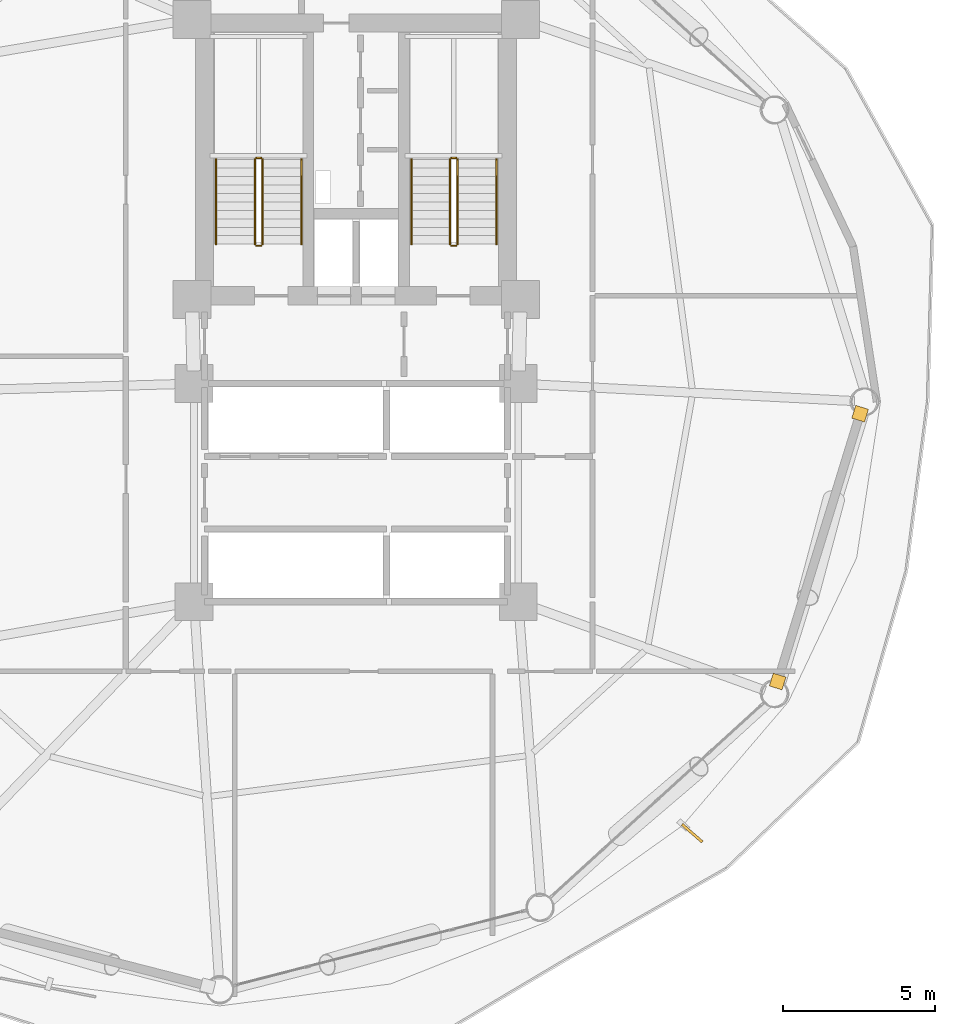
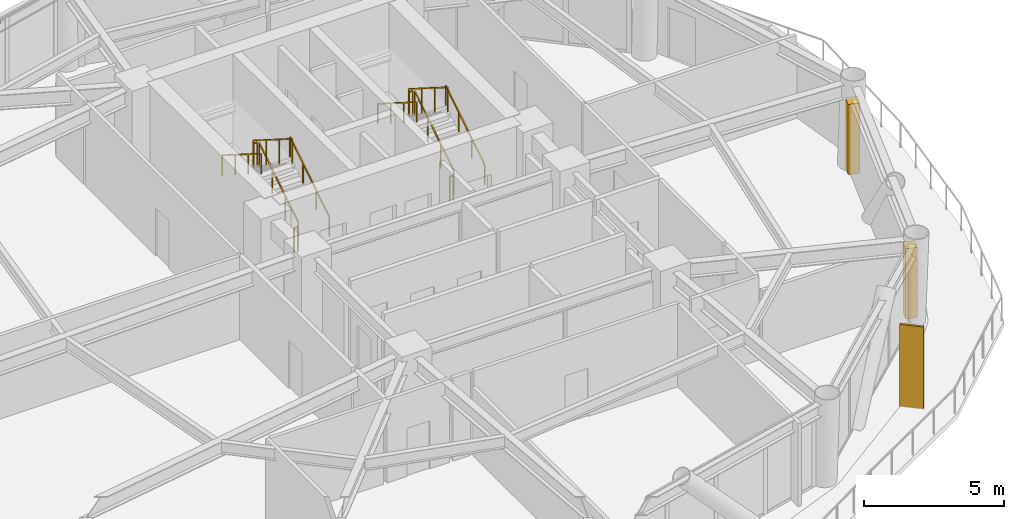
# One storey, part 24 of 25: 12 railings, 2 coverings, 1 shading device.
"""IFC4 building model written with IfcOpenShell, lengths in metres."""

from ifc_helpers import new_model, si_unit, direction, frame, origin, origin_2d, place, context, subcontext, project, spatial, rectangle, extrude, source, transform, mapped, material, layer, layer_set, type_object, type_shapes, element, save


model = new_model("IFC4")

# Units and contexts
model_context = context("Model", 3, precision=1e-05, world=origin(), true_north=direction((0.0, 1.0)))
body_context = subcontext(model_context, "Body", "Model", "MODEL_VIEW")
ifc_project = project(units=[si_unit("LENGTHUNIT", "METRE"), si_unit("AREAUNIT", "SQUARE_METRE"), si_unit("VOLUMEUNIT", "CUBIC_METRE"), si_unit("PLANEANGLEUNIT", "RADIAN"), si_unit("MASSUNIT", "GRAM", prefix="KILO")], contexts=[model_context])

# Site, building, storey
site_placement = place(None, origin())
site = spatial("IfcSite", under=ifc_project, at=site_placement, CompositionType="ELEMENT")
building_placement = place(site_placement, origin())
building = spatial("IfcBuilding", under=site, at=building_placement, Name="Varnakorn Sky Granary", CompositionType="ELEMENT")
storey_placement = place(building_placement, frame((0.0, 0.0, 54.89990234375)))
storey = spatial("IfcBuildingStorey", under=building, at=storey_placement, Name="L13", CompositionType="ELEMENT", Elevation=54.89990234375)

# Railings
ifc_material_1 = material(Name="Brushed Stainless Steel 316", Category="steel")
railing_type_1 = type_object("IfcRailingType", Name="RL-STAIR-1100", PredefinedType="GUARDRAIL", material=ifc_material_1)
railing_1_placement = place(storey_placement, frame((-0.090087890625, 5.199951171875, 0.177490234375)))
element("IfcRailing", 1, at=railing_1_placement, inside=storey, type_object=railing_type_1, Name="L13 ST-1 stair guard 1", PredefinedType="GUARDRAIL", context=body_context, shape_type="SweptSolid", body=[
    extrude(rectangle(XDim=0.048095703125, YDim=0.048095703125, at=origin_2d()), frame((0.0, 0.0, 1.076171875), z_axis=(0.0, 0.844908973607, 0.534910110503), x_axis=(-1.0, 0.0, 0.0)), (0.0, 0.0, 1.0), 3.31396484375),
    extrude(rectangle(XDim=0.0419921875, YDim=0.0419921875, at=origin_2d()), origin(), (0.0, 0.0, 1.0), 1.048095703125),
    extrude(rectangle(XDim=0.0419921875, YDim=0.0419921875, at=origin_2d()), frame((0.0, 0.933349609375, 0.5908203125)), (0.0, 0.0, 1.0), 1.048095703125),
    extrude(rectangle(XDim=0.0419921875, YDim=0.0419921875, at=origin_2d()), frame((0.0, 1.86669921875, 1.181884765625)), (0.0, 0.0, 1.0), 1.048095703125),
    extrude(rectangle(XDim=0.0419921875, YDim=0.0419921875, at=origin_2d()), frame((0.0, 2.800048828125, 1.772705078125)), (0.0, 0.0, 1.0), 1.048095703125),
])
railing_2_placement = place(storey_placement, frame((-0.139892578125, 8.050048828125, 1.9501953125)))
element("IfcRailing", 2, at=railing_2_placement, inside=storey, type_object=railing_type_1, Name="L13 ST-1 stair guard 2", PredefinedType="GUARDRAIL", context=body_context, shape_type="SweptSolid", body=[
    extrude(rectangle(XDim=0.048095703125, YDim=0.048095703125, at=origin_2d()), frame((0.0, 0.0, 1.076171875), z_axis=(-1.0, 0.0, 0.0), x_axis=(0.0, -1.0, 0.0)), (0.0, 0.0, 1.0), 0.150146484375),
    extrude(rectangle(XDim=0.0419921875, YDim=0.0419921875, at=origin_2d()), origin(), (0.0, 0.0, 1.0), 1.048095703125),
    extrude(rectangle(XDim=0.0419921875, YDim=0.0419921875, at=origin_2d()), frame((-0.150146484375, 0.0, 0.0)), (0.0, 0.0, 1.0), 1.048095703125),
])
railing_3_placement = place(storey_placement, frame((-0.340087890625, 8.0, 2.12744140625)))
element("IfcRailing", 3, at=railing_3_placement, inside=storey, type_object=railing_type_1, Name="L13 ST-1 stair guard 3", PredefinedType="GUARDRAIL", context=body_context, shape_type="SweptSolid", body=[
    extrude(rectangle(XDim=0.048095703125, YDim=0.048095703125, at=origin_2d()), frame((0.0, 0.0, 1.076171875), z_axis=(0.0, -0.844908973607, 0.534910110503), x_axis=(1.0, 0.0, 0.0)), (0.0, 0.0, 1.0), 3.31396484375),
    extrude(rectangle(XDim=0.0419921875, YDim=0.0419921875, at=origin_2d()), origin(), (0.0, 0.0, 1.0), 1.048095703125),
    extrude(rectangle(XDim=0.0419921875, YDim=0.0419921875, at=origin_2d()), frame((0.0, -0.933349609375, 0.5908203125)), (0.0, 0.0, 1.0), 1.048095703125),
    extrude(rectangle(XDim=0.0419921875, YDim=0.0419921875, at=origin_2d()), frame((0.0, -1.86669921875, 1.181884765625)), (0.0, 0.0, 1.0), 1.048095703125),
    extrude(rectangle(XDim=0.0419921875, YDim=0.0419921875, at=origin_2d()), frame((0.0, -2.800048828125, 1.772705078125)), (0.0, 0.0, 1.0), 1.048095703125),
])
railing_4_placement = place(storey_placement, frame((-0.139892578125, 5.14990234375, 0.0)))
element("IfcRailing", 4, at=railing_4_placement, inside=storey, type_object=railing_type_1, Name="L13 ST-1 stair guard 4", PredefinedType="GUARDRAIL", context=body_context, shape_type="SweptSolid", body=[
    extrude(rectangle(XDim=0.048095703125, YDim=0.048095703125, at=origin_2d()), frame((0.0, 0.0, 1.076171875), z_axis=(-1.0, 0.0, 0.0), x_axis=(0.0, -1.0, 0.0)), (0.0, 0.0, 1.0), 0.150146484375),
    extrude(rectangle(XDim=0.0419921875, YDim=0.0419921875, at=origin_2d()), origin(), (0.0, 0.0, 1.0), 1.048095703125),
    extrude(rectangle(XDim=0.0419921875, YDim=0.0419921875, at=origin_2d()), frame((-0.150146484375, 0.0, 0.0)), (0.0, 0.0, 1.0), 1.048095703125),
])
railing_5_placement = place(storey_placement, frame((6.35009765625, 5.199951171875, 0.177490234375)))
element("IfcRailing", 5, at=railing_5_placement, inside=storey, type_object=railing_type_1, Name="L13 ST-2 stair guard 1", PredefinedType="GUARDRAIL", context=body_context, shape_type="SweptSolid", body=[
    extrude(rectangle(XDim=0.048095703125, YDim=0.048095703125, at=origin_2d()), frame((0.0, 0.0, 1.076171875), z_axis=(0.0, 0.844908973607, 0.534910110503), x_axis=(-1.0, 0.0, 0.0)), (0.0, 0.0, 1.0), 3.31396484375),
    extrude(rectangle(XDim=0.0419921875, YDim=0.0419921875, at=origin_2d()), origin(), (0.0, 0.0, 1.0), 1.048095703125),
    extrude(rectangle(XDim=0.0419921875, YDim=0.0419921875, at=origin_2d()), frame((0.0, 0.933349609375, 0.5908203125)), (0.0, 0.0, 1.0), 1.048095703125),
    extrude(rectangle(XDim=0.0419921875, YDim=0.0419921875, at=origin_2d()), frame((0.0, 1.86669921875, 1.181884765625)), (0.0, 0.0, 1.0), 1.048095703125),
    extrude(rectangle(XDim=0.0419921875, YDim=0.0419921875, at=origin_2d()), frame((0.0, 2.800048828125, 1.772705078125)), (0.0, 0.0, 1.0), 1.048095703125),
])
railing_6_placement = place(storey_placement, frame((6.300048828125, 8.050048828125, 1.9501953125)))
element("IfcRailing", 6, at=railing_6_placement, inside=storey, type_object=railing_type_1, Name="L13 ST-2 stair guard 2", PredefinedType="GUARDRAIL", context=body_context, shape_type="SweptSolid", body=[
    extrude(rectangle(XDim=0.048095703125, YDim=0.048095703125, at=origin_2d()), frame((0.0, 0.0, 1.076171875), z_axis=(-1.0, 0.0, 0.0), x_axis=(0.0, -1.0, 0.0)), (0.0, 0.0, 1.0), 0.150146484375),
    extrude(rectangle(XDim=0.0419921875, YDim=0.0419921875, at=origin_2d()), origin(), (0.0, 0.0, 1.0), 1.048095703125),
    extrude(rectangle(XDim=0.0419921875, YDim=0.0419921875, at=origin_2d()), frame((-0.150146484375, 0.0, 0.0)), (0.0, 0.0, 1.0), 1.048095703125),
])
railing_7_placement = place(storey_placement, frame((6.10009765625, 8.0, 2.12744140625)))
element("IfcRailing", 7, at=railing_7_placement, inside=storey, type_object=railing_type_1, Name="L13 ST-2 stair guard 3", PredefinedType="GUARDRAIL", context=body_context, shape_type="SweptSolid", body=[
    extrude(rectangle(XDim=0.048095703125, YDim=0.048095703125, at=origin_2d()), frame((0.0, 0.0, 1.076171875), z_axis=(0.0, -0.844908973607, 0.534910110503), x_axis=(1.0, 0.0, 0.0)), (0.0, 0.0, 1.0), 3.31396484375),
    extrude(rectangle(XDim=0.0419921875, YDim=0.0419921875, at=origin_2d()), origin(), (0.0, 0.0, 1.0), 1.048095703125),
    extrude(rectangle(XDim=0.0419921875, YDim=0.0419921875, at=origin_2d()), frame((0.0, -0.933349609375, 0.5908203125)), (0.0, 0.0, 1.0), 1.048095703125),
    extrude(rectangle(XDim=0.0419921875, YDim=0.0419921875, at=origin_2d()), frame((0.0, -1.86669921875, 1.181884765625)), (0.0, 0.0, 1.0), 1.048095703125),
    extrude(rectangle(XDim=0.0419921875, YDim=0.0419921875, at=origin_2d()), frame((0.0, -2.800048828125, 1.772705078125)), (0.0, 0.0, 1.0), 1.048095703125),
])
railing_8_placement = place(storey_placement, frame((6.300048828125, 5.14990234375, 0.0)))
element("IfcRailing", 8, at=railing_8_placement, inside=storey, type_object=railing_type_1, Name="L13 ST-2 stair guard 4", PredefinedType="GUARDRAIL", context=body_context, shape_type="SweptSolid", body=[
    extrude(rectangle(XDim=0.048095703125, YDim=0.048095703125, at=origin_2d()), frame((0.0, 0.0, 1.076171875), z_axis=(-1.0, 0.0, 0.0), x_axis=(0.0, -1.0, 0.0)), (0.0, 0.0, 1.0), 0.150146484375),
    extrude(rectangle(XDim=0.0419921875, YDim=0.0419921875, at=origin_2d()), origin(), (0.0, 0.0, 1.0), 1.048095703125),
    extrude(rectangle(XDim=0.0419921875, YDim=0.0419921875, at=origin_2d()), frame((-0.150146484375, 0.0, 0.0)), (0.0, 0.0, 1.0), 1.048095703125),
])
railing_type_2 = type_object("IfcRailingType", Name="RL-STAIR-920", PredefinedType="HANDRAIL", material=ifc_material_1)
railing_9_placement = place(storey_placement, frame((1.18994140625, 5.199951171875, 0.177490234375)))
element("IfcRailing", 9, at=railing_9_placement, inside=storey, type_object=railing_type_2, Name="L13 ST-1 stair handrail 1", PredefinedType="HANDRAIL", context=body_context, shape_type="SweptSolid", body=[
    extrude(rectangle(XDim=0.048095703125, YDim=0.048095703125, at=origin_2d()), frame((0.0, 0.0, 0.8759765625), z_axis=(0.0, 0.844908973607, 0.534910110503), x_axis=(-1.0, 0.0, 0.0)), (0.0, 0.0, 1.0), 3.31396484375),
    extrude(rectangle(XDim=0.0419921875, YDim=0.0419921875, at=origin_2d()), origin(), (0.0, 0.0, 1.0), 0.847900390625),
    extrude(rectangle(XDim=0.0419921875, YDim=0.0419921875, at=origin_2d()), frame((0.0, 0.933349609375, 0.5908203125)), (0.0, 0.0, 1.0), 0.847900390625),
    extrude(rectangle(XDim=0.0419921875, YDim=0.0419921875, at=origin_2d()), frame((0.0, 1.86669921875, 1.181884765625)), (0.0, 0.0, 1.0), 0.847900390625),
    extrude(rectangle(XDim=0.0419921875, YDim=0.0419921875, at=origin_2d()), frame((0.0, 2.800048828125, 1.772705078125)), (0.0, 0.0, 1.0), 0.847900390625),
])
railing_10_placement = place(storey_placement, frame((-1.6201171875, 8.0, 2.12744140625)))
element("IfcRailing", 10, at=railing_10_placement, inside=storey, type_object=railing_type_2, Name="L13 ST-1 stair handrail 2", PredefinedType="HANDRAIL", context=body_context, shape_type="SweptSolid", body=[
    extrude(rectangle(XDim=0.048095703125, YDim=0.048095703125, at=origin_2d()), frame((0.0, 0.0, 0.8759765625), z_axis=(0.0, -0.844908973607, 0.534910110503), x_axis=(1.0, 0.0, 0.0)), (0.0, 0.0, 1.0), 3.31396484375),
    extrude(rectangle(XDim=0.0419921875, YDim=0.0419921875, at=origin_2d()), origin(), (0.0, 0.0, 1.0), 0.847900390625),
    extrude(rectangle(XDim=0.0419921875, YDim=0.0419921875, at=origin_2d()), frame((0.0, -0.933349609375, 0.5908203125)), (0.0, 0.0, 1.0), 0.847900390625),
    extrude(rectangle(XDim=0.0419921875, YDim=0.0419921875, at=origin_2d()), frame((0.0, -1.86669921875, 1.181884765625)), (0.0, 0.0, 1.0), 0.847900390625),
    extrude(rectangle(XDim=0.0419921875, YDim=0.0419921875, at=origin_2d()), frame((0.0, -2.800048828125, 1.772705078125)), (0.0, 0.0, 1.0), 0.847900390625),
])
railing_11_placement = place(storey_placement, frame((7.6298828125, 5.199951171875, 0.177490234375)))
element("IfcRailing", 11, at=railing_11_placement, inside=storey, type_object=railing_type_2, Name="L13 ST-2 stair handrail 1", PredefinedType="HANDRAIL", context=body_context, shape_type="SweptSolid", body=[
    extrude(rectangle(XDim=0.048095703125, YDim=0.048095703125, at=origin_2d()), frame((0.0, 0.0, 0.8759765625), z_axis=(0.0, 0.844908973607, 0.534910110503), x_axis=(-1.0, 0.0, 0.0)), (0.0, 0.0, 1.0), 3.31396484375),
    extrude(rectangle(XDim=0.0419921875, YDim=0.0419921875, at=origin_2d()), origin(), (0.0, 0.0, 1.0), 0.847900390625),
    extrude(rectangle(XDim=0.0419921875, YDim=0.0419921875, at=origin_2d()), frame((0.0, 0.933349609375, 0.5908203125)), (0.0, 0.0, 1.0), 0.847900390625),
    extrude(rectangle(XDim=0.0419921875, YDim=0.0419921875, at=origin_2d()), frame((0.0, 1.86669921875, 1.181884765625)), (0.0, 0.0, 1.0), 0.847900390625),
    extrude(rectangle(XDim=0.0419921875, YDim=0.0419921875, at=origin_2d()), frame((0.0, 2.800048828125, 1.772705078125)), (0.0, 0.0, 1.0), 0.847900390625),
])
railing_12_placement = place(storey_placement, frame((4.820068359375, 8.0, 2.12744140625)))
element("IfcRailing", 12, at=railing_12_placement, inside=storey, type_object=railing_type_2, Name="L13 ST-2 stair handrail 2", PredefinedType="HANDRAIL", context=body_context, shape_type="SweptSolid", body=[
    extrude(rectangle(XDim=0.048095703125, YDim=0.048095703125, at=origin_2d()), frame((0.0, 0.0, 0.8759765625), z_axis=(0.0, -0.844908973607, 0.534910110503), x_axis=(1.0, 0.0, 0.0)), (0.0, 0.0, 1.0), 3.31396484375),
    extrude(rectangle(XDim=0.0419921875, YDim=0.0419921875, at=origin_2d()), origin(), (0.0, 0.0, 1.0), 0.847900390625),
    extrude(rectangle(XDim=0.0419921875, YDim=0.0419921875, at=origin_2d()), frame((0.0, -0.933349609375, 0.5908203125)), (0.0, 0.0, 1.0), 0.847900390625),
    extrude(rectangle(XDim=0.0419921875, YDim=0.0419921875, at=origin_2d()), frame((0.0, -1.86669921875, 1.181884765625)), (0.0, 0.0, 1.0), 0.847900390625),
    extrude(rectangle(XDim=0.0419921875, YDim=0.0419921875, at=origin_2d()), frame((0.0, -2.800048828125, 1.772705078125)), (0.0, 0.0, 1.0), 0.847900390625),
])

# Shading device
ifc_material_2 = material(Name="Anodised Bronze Aluminium Alloy 6063-T6", Category="aluminium")
shading_device_type = type_object("IfcShadingDeviceType", Name="SH-FIN-01", PredefinedType="USERDEFINED", material=ifc_material_2)
shared_shape_1 = source(origin(), body_context, "Body", "SweptSolid", [
    extrude(rectangle(XDim=0.0849609375, YDim=0.8798828125, at=origin_2d()), origin(), (0.0, 0.0, 1.0), 3.60009765625),
])
type_shapes(shading_device_type, [shared_shape_1])
shading_device_placement = place(storey_placement, frame((14.089599609375, -14.236083984375, -0.0400390625), z_axis=(0.0, 0.0, 1.0), x_axis=(0.655435630554, 0.755251040516, 0.0)))
element("IfcShadingDevice", 13, at=shading_device_placement, inside=storey, type_object=shading_device_type, Name="Bronze Solar-Tracking Vertical Blade FIN L13-11", ObjectType="FIN", PredefinedType="USERDEFINED", context=body_context, shape_type="MappedRepresentation", body=[
    mapped(shared_shape_1, transform((0.0, 0.0, 0.0), x_axis=(1.0, 0.0, 0.0), y_axis=(0.0, 1.0, 0.0), z_axis=(0.0, 0.0, 1.0), scale=1.0)),
])

# Coverings
ifc_layer = layer(ifc_material_2, 0.050048828125, Name="Anodised Bronze Aluminium Alloy 6063-T6")
ifc_layer_set = layer_set([ifc_layer], Name="Anodised Bronze Aluminium Alloy 6063-T6")
covering_type = type_object("IfcCoveringType", Name="CV-CLAD-50", PredefinedType="CLADDING", material=ifc_layer_set)
shared_shape_2 = source(origin(), body_context, "Body", "SweptSolid", [
    extrude(rectangle(XDim=0.43994140625, YDim=0.43994140625, at=origin_2d()), origin(), (0.0, 0.0, 1.0), 3.080078125),
])
type_shapes(covering_type, [shared_shape_2])
for number, where, z_axis, x_axis, name in (
    (14, (19.6328125, -0.393798828125, -0.02001953125), (0.0, 0.0, 1.0), (-0.294373942013, -0.955690317134, 0.0), "Bronze Corner Pilaster Closure L13-P12-A"),
    (15, (16.910888671875, -9.232177734375, -0.02001953125), (0.0, 0.0, 1.0), (-0.294373942013, -0.955690317134, 0.0), "Bronze Corner Pilaster Closure L13-P12-B"),
):
    element("IfcCovering", number, at=place(storey_placement, frame(where, z_axis=z_axis, x_axis=x_axis)), inside=storey, type_object=covering_type, Name=name, PredefinedType="CLADDING", context=body_context, shape_type="MappedRepresentation", body=[
        mapped(shared_shape_2, transform((0.0, 0.0, 0.0), x_axis=(1.0, 0.0, 0.0), y_axis=(0.0, 1.0, 0.0), z_axis=(0.0, 0.0, 1.0), scale=1.0)),
    ])

save(model, "model.ifc")
